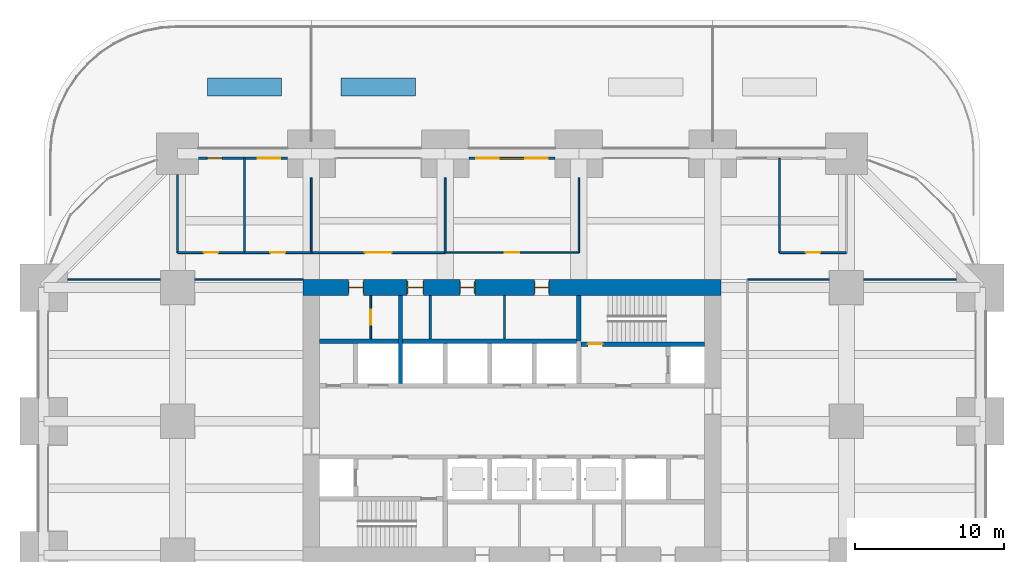
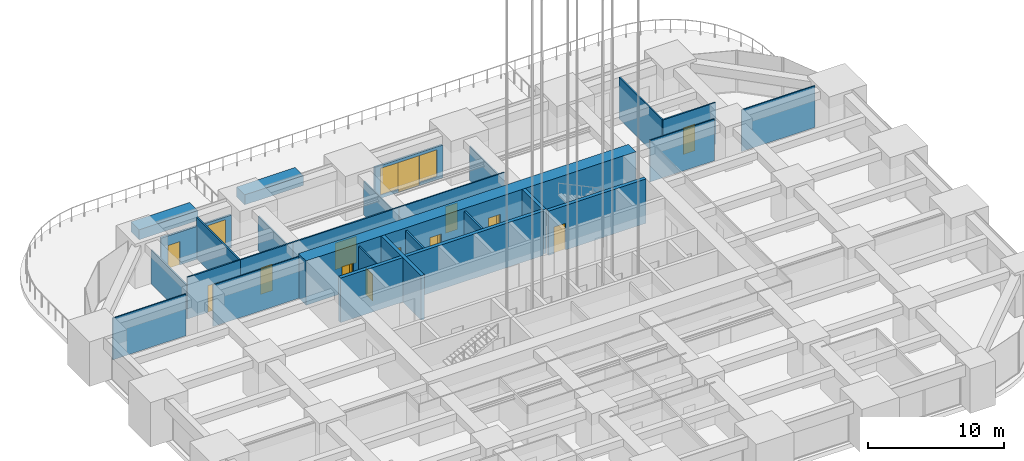
# One storey, part 38 of 50: 27 walls, 13 doors, 3 windows, 16 openings.
"""IFC4 building model written with IfcOpenShell, lengths in metres."""

import ifcopenshell
import ifcopenshell.guid

model = None  # the IFC model being written
_history = None  # IfcOwnerHistory: only IFC2X3 demands one
_inside = {}  # id of a spatial element -> (the spatial element, [elements in it])
_under = {}  # id of a project, library or spatial element -> (it, [spatial elements below it])
_declared = {}  # id of a project -> (the project, [libraries it declares])
_typed = {}  # id of a type object -> (the type object, [elements of that type])
_made_of = {}  # id of a material, layer set ... -> (it, [elements and type objects made of it])


def new_model(schema):
    """Start an empty IFC model of exactly this schema.

    Asked for "IFC4X3", IfcOpenShell would pick the latest addendum, in which some entities
    have other attributes; the version numbers below select the first issue.
    IFC2X3 requires an IfcOwnerHistory on every rooted entity: one is made here for all.
    """
    global model, _history
    if schema == "IFC4X3":
        model = ifcopenshell.file(schema_version=(4, 3, 0, 0))
    else:
        model = ifcopenshell.file(schema=schema)
    _inside.clear()
    _under.clear()
    _declared.clear()
    _typed.clear()
    _made_of.clear()
    _history = None
    if model.schema == "IFC2X3":
        org = make("IfcOrganization", Name="unknown")
        user = make(
            "IfcPersonAndOrganization",
            ThePerson=make("IfcPerson", FamilyName="unknown"),
            TheOrganization=org,
        )
        app = make(
            "IfcApplication",
            ApplicationDeveloper=org,
            Version="unknown",
            ApplicationFullName="unknown",
            ApplicationIdentifier="unknown",
        )
        _history = make(
            "IfcOwnerHistory",
            OwningUser=user,
            OwningApplication=app,
            ChangeAction="ADDED",
            CreationDate=0,
        )
    return model


def make(cls, **values):
    """One entity of the class cls with the attributes given. An attribute that is None is left unset."""
    return model.create_entity(
        cls, **{name: value for name, value in values.items() if value is not None}
    )


def rooted(cls, **values):
    """An entity with a GlobalId (a new one), such as an element, a storey or a relation."""
    return make(cls, GlobalId=ifcopenshell.guid.new(), OwnerHistory=_history, **values)


def si_unit(unit_type, name, prefix=None):
    """IfcSIUnit, for example si_unit("LENGTHUNIT", "METRE", prefix="MILLI")."""
    return make("IfcSIUnit", UnitType=unit_type, Prefix=prefix, Name=name)


def assignment(units):
    """IfcUnitAssignment: the units of a project."""
    return None if units is None else make("IfcUnitAssignment", Units=units)


def point(xyz):
    """IfcCartesianPoint."""
    return None if xyz is None else make("IfcCartesianPoint", Coordinates=xyz)


def direction(xyz):
    """IfcDirection."""
    return None if xyz is None else make("IfcDirection", DirectionRatios=xyz)


def frame(location, z_axis=None, x_axis=None):
    """IfcAxis2Placement3D, a coordinate frame: its origin and axes. An axis left out is left unset."""
    return make(
        "IfcAxis2Placement3D",
        Location=point(location),
        Axis=direction(z_axis),
        RefDirection=direction(x_axis),
    )


def frame_2d(location, x_axis=None):
    """IfcAxis2Placement2D, a coordinate frame in the plane: its origin and x axis."""
    return make(
        "IfcAxis2Placement2D", Location=point(location), RefDirection=direction(x_axis)
    )


def origin():
    """The frame at (0, 0, 0) with its axes left unset."""
    return frame((0.0, 0.0, 0.0))


def place(relative_to, where):
    """IfcLocalPlacement: puts the frame where relative to a parent placement (None: the world)."""
    return make(
        "IfcLocalPlacement", PlacementRelTo=relative_to, RelativePlacement=where
    )


def context(
    kind, dimensions, precision=None, world=None, true_north=None, identifier=None
):
    """IfcGeometricRepresentationContext, for example the 3D "Model" context."""
    return make(
        "IfcGeometricRepresentationContext",
        ContextIdentifier=identifier,
        ContextType=kind,
        CoordinateSpaceDimension=dimensions,
        Precision=precision,
        WorldCoordinateSystem=world,
        TrueNorth=true_north,
    )


def subcontext(parent, identifier, kind, view, scale=None):
    """IfcGeometricRepresentationSubContext, for example "Body" below "Model"."""
    return make(
        "IfcGeometricRepresentationSubContext",
        ContextIdentifier=identifier,
        ContextType=kind,
        ParentContext=parent,
        TargetScale=scale,
        TargetView=view,
    )


def project(units=None, contexts=None):
    """IfcProject with its units and contexts."""
    return rooted(
        "IfcProject",
        Name="project",
        RepresentationContexts=contexts,
        UnitsInContext=assignment(units),
    )


def spatial(cls, under=None, at=None, **own):
    """A site, building, storey or space (cls), placed at a placement, below another one or the project."""
    s = rooted(cls, ObjectPlacement=at, **own)
    if under is not None:
        _under.setdefault(under.id(), (under, []))[1].append(s)
    return s


def profile(cls, at=None, kind="AREA", **sizes):
    """A parametric profile (cls). Its sizes go by their IFC names, for example OverallWidth=200.0."""
    return make(cls, ProfileType=kind, Position=at, **sizes)


def rectangle(**sizes):
    """IfcRectangleProfileDef."""
    return profile("IfcRectangleProfileDef", **sizes)


def extrude(swept, where, along, depth):
    """IfcExtrudedAreaSolid: the profile swept, set in the frame where, extruded along a direction by depth."""
    return make(
        "IfcExtrudedAreaSolid",
        SweptArea=swept,
        Position=where,
        ExtrudedDirection=direction(along),
        Depth=depth,
    )


def shape(context_of_items, identifier, shape_type, items):
    """IfcShapeRepresentation: the items that make up one representation, for example the "Body"."""
    return make(
        "IfcShapeRepresentation",
        ContextOfItems=context_of_items,
        RepresentationIdentifier=identifier,
        RepresentationType=shape_type,
        Items=items,
    )


def material(Name=None, Category=None):
    """IfcMaterial."""
    return make("IfcMaterial", Name=Name, Category=Category)


def layer(
    of_material, thickness, ventilated=None, Name=None, Category=None, Priority=None
):
    """IfcMaterialLayer: one layer of a wall or slab, of a material (None: an air gap)."""
    return make(
        "IfcMaterialLayer",
        Material=of_material,
        LayerThickness=thickness,
        IsVentilated=ventilated,
        Name=Name,
        Category=Category,
        Priority=Priority,
    )


def layer_set(layers, Name=None):
    """IfcMaterialLayerSet."""
    return make("IfcMaterialLayerSet", MaterialLayers=layers, LayerSetName=Name)


def made_of(thing, what):
    """Note that an element or type object is made of a material, layer set ...; save() writes the relation."""
    if what is not None:
        _made_of.setdefault(what.id(), (what, []))[1].append(thing)
    return thing


def type_object(cls, material=None, **own):
    """A type object (cls), such as IfcWallType, which elements share."""
    return made_of(rooted(cls, **own), material)


def element(
    cls,
    number,
    at=None,
    inside=None,
    cuts=None,
    type_object=None,
    material=None,
    context=None,
    identifier="Body",
    shape_type=None,
    held_by="IfcProductDefinitionShape",
    body=None,
    shapes=None,
    **own,
):
    """One element of the class cls, such as IfcWall. Its Tag is "e" and its number.

    at: its placement. inside: the storey or other place that contains it. cuts: it is an
    opening in that element (IfcRelVoidsElement). A single representation is given by context,
    identifier, shape_type and body (its items); several are given by shapes. held_by: the class
    of the entity that holds the representations. save() writes the other relations.
    """
    e = rooted(cls, Tag="e%d" % number, ObjectPlacement=at, **own)
    if body is not None:
        shapes = [shape(context, identifier, shape_type, body)]
    if shapes is not None:
        e.Representation = make(held_by, Representations=shapes)
    if inside is not None:
        _inside.setdefault(inside.id(), (inside, []))[1].append(e)
    if cuts is not None:
        rooted(
            "IfcRelVoidsElement", RelatingBuildingElement=cuts, RelatedOpeningElement=e
        )
    if type_object is not None:
        _typed.setdefault(type_object.id(), (type_object, []))[1].append(e)
    return made_of(e, material)


def fill(opening, filler):
    """IfcRelFillsElement: the door or window that sits in an opening."""
    return rooted(
        "IfcRelFillsElement",
        RelatingOpeningElement=opening,
        RelatedBuildingElement=filler,
    )


def aggregate(whole, parts):
    """IfcRelAggregates: a whole, such as a stair, and the parts it consists of."""
    return rooted("IfcRelAggregates", RelatingObject=whole, RelatedObjects=parts)


def save(model, path):
    """Write the relations noted so far, then the file.

    IfcRelAggregates (storeys below a building ...), IfcRelContainedInSpatialStructure (elements
    in a storey), IfcRelDefinesByType, IfcRelAssociatesMaterial and IfcRelDeclares: one each for
    every whole, place, type object, material and project.
    """
    for whole, parts in _under.values():
        aggregate(whole, parts)
    for where, things in _inside.values():
        rooted(
            "IfcRelContainedInSpatialStructure",
            RelatedElements=things,
            RelatingStructure=where,
        )
    for kind, things in _typed.values():
        rooted("IfcRelDefinesByType", RelatedObjects=things, RelatingType=kind)
    for what, things in _made_of.values():
        rooted("IfcRelAssociatesMaterial", RelatedObjects=things, RelatingMaterial=what)
    for by, libraries in _declared.values():
        rooted("IfcRelDeclares", RelatingContext=by, RelatedDefinitions=libraries)
    model.write(path)


model = new_model("IFC4")

# Units and contexts
model_context = context("Model", 3, precision=1e-05, world=origin(), true_north=direction((0.0, 1.0)))
body_context = subcontext(model_context, "Body", "Model", "MODEL_VIEW")
ifc_project = project(units=[si_unit("LENGTHUNIT", "METRE"), si_unit("AREAUNIT", "SQUARE_METRE"), si_unit("VOLUMEUNIT", "CUBIC_METRE"), si_unit("PLANEANGLEUNIT", "RADIAN"), si_unit("MASSUNIT", "GRAM", prefix="KILO")], contexts=[model_context])

# Site, building, storey
site_placement = place(None, origin())
site = spatial("IfcSite", under=ifc_project, at=site_placement, CompositionType="ELEMENT")
building_placement = place(site_placement, origin())
building = spatial("IfcBuilding", under=site, at=building_placement, Name="Zorevar Civic Tower", CompositionType="ELEMENT")
storey_placement = place(building_placement, frame((0.0, 0.0, 85.0)))
storey = spatial("IfcBuildingStorey", under=building, at=storey_placement, Name="L20", CompositionType="ELEMENT", Elevation=85.0)

# Wall, openings, doors
ifc_material_1 = material(Name="Concrete C50/60", Category="concrete")
ifc_layer_1 = layer(ifc_material_1, 1.10009765625)
ifc_layer_set_1 = layer_set([ifc_layer_1], Name="Core wall 1100")
wall_type_1 = type_object("IfcWallType", Name="Core wall 1100", PredefinedType="SHEAR", material=ifc_layer_set_1)
wall_1_placement = place(storey_placement, frame((45.550048828125, 36.0, 0.0), z_axis=(0.0, 0.0, 1.0), x_axis=(-1.0, 0.0, 0.0)))
wall_1 = element("IfcWall", 1, at=wall_1_placement, inside=storey, type_object=wall_type_1, Name="Core wall N L20", PredefinedType="SHEAR", context=body_context, shape_type="SweptSolid", body=[
    extrude(rectangle(XDim=28.10009765625, YDim=1.10009765625, at=frame_2d((14.050048828125, 0.0))), origin(), (0.0, 0.0, 1.0), 4.0),
])
opening_1_placement = place(wall_1_placement, frame((11.550048828125, 0.0, 0.0)))
opening_1 = element("IfcOpeningElement", 2, at=opening_1_placement, cuts=wall_1, Name="Opening L20.07", PredefinedType="OPENING", context=body_context, shape_type="SweptSolid", body=[
    extrude(rectangle(XDim=1.0, YDim=2.39990234375, at=frame_2d((0.5, 1.199951171875))), frame((0.0, 0.56005859375, 0.0), z_axis=(0.0, -1.0, 0.0), x_axis=(1.0, 0.0, 0.0)), (0.0, 0.0, 1.0), 1.1201171875),
])
opening_2_placement = place(wall_1_placement, frame((16.550048828125, 0.0, 0.0)))
opening_2 = element("IfcOpeningElement", 3, at=opening_2_placement, cuts=wall_1, Name="Opening L20.08", PredefinedType="OPENING", context=body_context, shape_type="SweptSolid", body=[
    extrude(rectangle(XDim=1.0, YDim=2.39990234375, at=frame_2d((0.5, 1.199951171875))), frame((0.0, 0.56005859375, 0.0), z_axis=(0.0, -1.0, 0.0), x_axis=(1.0, 0.0, 0.0)), (0.0, 0.0, 1.0), 1.1201171875),
])
opening_3_placement = place(wall_1_placement, frame((20.0, 0.0, 0.0)))
opening_3 = element("IfcOpeningElement", 4, at=opening_3_placement, cuts=wall_1, Name="Opening L20.09", PredefinedType="OPENING", context=body_context, shape_type="SweptSolid", body=[
    extrude(rectangle(XDim=1.10009765625, YDim=2.39990234375, at=frame_2d((0.550048828125, 1.199951171875))), frame((0.0, 0.56005859375, 0.0), z_axis=(0.0, -1.0, 0.0), x_axis=(1.0, 0.0, 0.0)), (0.0, 0.0, 1.0), 1.1201171875),
])
opening_4_placement = place(wall_1_placement, frame((24.050048828125, 0.0, 0.0)))
opening_4 = element("IfcOpeningElement", 5, at=opening_4_placement, cuts=wall_1, Name="Opening L20.10", PredefinedType="OPENING", context=body_context, shape_type="SweptSolid", body=[
    extrude(rectangle(XDim=1.0, YDim=2.39990234375, at=frame_2d((0.5, 1.199951171875))), frame((0.0, 0.56005859375, 0.0), z_axis=(0.0, -1.0, 0.0), x_axis=(1.0, 0.0, 0.0)), (0.0, 0.0, 1.0), 1.1201171875),
])
ifc_material_2 = material(Name="Timber door set", Category="wood")
door_type_1 = type_object("IfcDoorType", Name="Door D1 1000x2400", OperationType="SINGLE_SWING_LEFT", PredefinedType="DOOR", material=ifc_material_2)
door_1_placement = place(opening_1_placement, origin())
door_1 = element("IfcDoor", 6, at=door_1_placement, inside=storey, type_object=door_type_1, Name="Door L20 06", OperationType="SINGLE_SWING_LEFT", OverallHeight=2.39990234375, OverallWidth=1.0, PredefinedType="DOOR", context=body_context, shape_type="SweptSolid", body=[
    extrude(rectangle(XDim=1.0, YDim=2.39990234375, at=frame_2d((0.5, 1.199951171875))), frame((0.0, 0.02490234375, 0.0), z_axis=(0.0, -1.0, 0.0), x_axis=(1.0, 0.0, 0.0)), (0.0, 0.0, 1.0), 0.050048828125),
    extrude(rectangle(XDim=0.04, YDim=2.39990234375, at=frame_2d((0.02001953125, 1.199951171875))), frame((0.0, 0.39990234375, 0.0), z_axis=(0.0, -1.0, 0.0), x_axis=(1.0, 0.0, 0.0)), (0.0, 0.0, 1.0), 0.800048828125),
    extrude(rectangle(XDim=0.04, YDim=2.39990234375, at=frame_2d((0.97998046875, 1.199951171875))), frame((0.0, 0.39990234375, 0.0), z_axis=(0.0, -1.0, 0.0), x_axis=(1.0, 0.0, 0.0)), (0.0, 0.0, 1.0), 0.800048828125),
    extrude(rectangle(XDim=1.0, YDim=0.04, at=frame_2d((0.5, 2.3798828125))), frame((0.0, 0.39990234375, 0.0), z_axis=(0.0, -1.0, 0.0), x_axis=(1.0, 0.0, 0.0)), (0.0, 0.0, 1.0), 0.800048828125),
])
fill(opening_1, door_1)
door_2_placement = place(opening_2_placement, origin())
door_2 = element("IfcDoor", 7, at=door_2_placement, inside=storey, type_object=door_type_1, Name="Door L20 07", OperationType="SINGLE_SWING_RIGHT", OverallHeight=2.39990234375, OverallWidth=1.0, PredefinedType="DOOR", context=body_context, shape_type="SweptSolid", body=[
    extrude(rectangle(XDim=1.0, YDim=2.39990234375, at=frame_2d((0.5, 1.199951171875))), frame((0.0, 0.02490234375, 0.0), z_axis=(0.0, -1.0, 0.0), x_axis=(1.0, 0.0, 0.0)), (0.0, 0.0, 1.0), 0.050048828125),
    extrude(rectangle(XDim=0.04, YDim=2.39990234375, at=frame_2d((0.02001953125, 1.199951171875))), frame((0.0, 0.39990234375, 0.0), z_axis=(0.0, -1.0, 0.0), x_axis=(1.0, 0.0, 0.0)), (0.0, 0.0, 1.0), 0.800048828125),
    extrude(rectangle(XDim=0.04, YDim=2.39990234375, at=frame_2d((0.97998046875, 1.199951171875))), frame((0.0, 0.39990234375, 0.0), z_axis=(0.0, -1.0, 0.0), x_axis=(1.0, 0.0, 0.0)), (0.0, 0.0, 1.0), 0.800048828125),
    extrude(rectangle(XDim=1.0, YDim=0.04, at=frame_2d((0.5, 2.3798828125))), frame((0.0, 0.39990234375, 0.0), z_axis=(0.0, -1.0, 0.0), x_axis=(1.0, 0.0, 0.0)), (0.0, 0.0, 1.0), 0.800048828125),
])
fill(opening_2, door_2)
door_3_placement = place(opening_4_placement, origin())
door_3 = element("IfcDoor", 8, at=door_3_placement, inside=storey, type_object=door_type_1, Name="Door L20 09", OperationType="SINGLE_SWING_RIGHT", OverallHeight=2.39990234375, OverallWidth=1.0, PredefinedType="DOOR", context=body_context, shape_type="SweptSolid", body=[
    extrude(rectangle(XDim=1.0, YDim=2.39990234375, at=frame_2d((0.5, 1.199951171875))), frame((0.0, 0.02490234375, 0.0), z_axis=(0.0, -1.0, 0.0), x_axis=(1.0, 0.0, 0.0)), (0.0, 0.0, 1.0), 0.050048828125),
    extrude(rectangle(XDim=0.04, YDim=2.39990234375, at=frame_2d((0.02001953125, 1.199951171875))), frame((0.0, 0.39990234375, 0.0), z_axis=(0.0, -1.0, 0.0), x_axis=(1.0, 0.0, 0.0)), (0.0, 0.0, 1.0), 0.800048828125),
    extrude(rectangle(XDim=0.04, YDim=2.39990234375, at=frame_2d((0.97998046875, 1.199951171875))), frame((0.0, 0.39990234375, 0.0), z_axis=(0.0, -1.0, 0.0), x_axis=(1.0, 0.0, 0.0)), (0.0, 0.0, 1.0), 0.800048828125),
    extrude(rectangle(XDim=1.0, YDim=0.04, at=frame_2d((0.5, 2.3798828125))), frame((0.0, 0.39990234375, 0.0), z_axis=(0.0, -1.0, 0.0), x_axis=(1.0, 0.0, 0.0)), (0.0, 0.0, 1.0), 0.800048828125),
])
fill(opening_4, door_3)
ifc_material_3 = material(Name="Timber door set", Category="wood")
door_type_2 = type_object("IfcDoorType", Name="Door D5 1100x2400", OperationType="SINGLE_SWING_LEFT", PredefinedType="DOOR", material=ifc_material_3)
door_4_placement = place(opening_3_placement, origin())
door_4 = element("IfcDoor", 9, at=door_4_placement, inside=storey, type_object=door_type_2, Name="Door L20 08", OperationType="SINGLE_SWING_RIGHT", OverallHeight=2.39990234375, OverallWidth=1.10009765625, PredefinedType="DOOR", context=body_context, shape_type="SweptSolid", body=[
    extrude(rectangle(XDim=1.10009765625, YDim=2.39990234375, at=frame_2d((0.550048828125, 1.199951171875))), frame((0.0, 0.02490234375, 0.0), z_axis=(0.0, -1.0, 0.0), x_axis=(1.0, 0.0, 0.0)), (0.0, 0.0, 1.0), 0.050048828125),
    extrude(rectangle(XDim=0.04, YDim=2.39990234375, at=frame_2d((0.02001953125, 1.199951171875))), frame((0.0, 0.43994140625, 0.0), z_axis=(0.0, -1.0, 0.0), x_axis=(1.0, 0.0, 0.0)), (0.0, 0.0, 1.0), 0.880126953125),
    extrude(rectangle(XDim=0.04, YDim=2.39990234375, at=frame_2d((1.080078125, 1.199951171875))), frame((0.0, 0.43994140625, 0.0), z_axis=(0.0, -1.0, 0.0), x_axis=(1.0, 0.0, 0.0)), (0.0, 0.0, 1.0), 0.880126953125),
    extrude(rectangle(XDim=1.10009765625, YDim=0.04, at=frame_2d((0.550048828125, 2.3798828125))), frame((0.0, 0.43994140625, 0.0), z_axis=(0.0, -1.0, 0.0), x_axis=(1.0, 0.0, 0.0)), (0.0, 0.0, 1.0), 0.880126953125),
])
fill(opening_3, door_4)

# Walls
ifc_material_4 = material(Name="Laminated glass in black aluminium frame", Category="aluminium")
ifc_layer_2 = layer(ifc_material_4, 0.10009765625)
ifc_layer_set_2 = layer_set([ifc_layer_2], Name="Glazed partition 100")
wall_type_2 = type_object("IfcWallType", Name="Glazed partition 100", PredefinedType="PARTITIONING", material=ifc_layer_set_2)
wall_2_placement = place(storey_placement, frame((1.60009765625, 36.550048828125, 0.0), z_axis=(0.0, 0.0, 1.0), x_axis=(1.0, 0.0, 0.0)))
element("IfcWall", 10, at=wall_2_placement, inside=storey, type_object=wall_type_2, Name="Glazed partition 100 L20", PredefinedType="PARTITIONING", context=body_context, shape_type="SweptSolid", body=[
    extrude(rectangle(XDim=6.25, YDim=0.10009765625, at=frame_2d((3.125, 0.0))), origin(), (0.0, 0.0, 1.0), 3.75),
])
wall_3_placement = place(storey_placement, frame((10.14990234375, 36.550048828125, 0.0), z_axis=(0.0, 0.0, 1.0), x_axis=(1.0, 0.0, 0.0)))
element("IfcWall", 11, at=wall_3_placement, inside=storey, type_object=wall_type_2, Name="Glazed partition 100 L20", PredefinedType="PARTITIONING", context=body_context, shape_type="SweptSolid", body=[
    extrude(rectangle(XDim=7.300048828125, YDim=0.10009765625, at=frame_2d((3.64990234375, 0.0))), origin(), (0.0, 0.0, 1.0), 3.75),
])
wall_4_placement = place(storey_placement, frame((47.35009765625, 36.550048828125, 0.0), z_axis=(0.0, 0.0, 1.0), x_axis=(1.0, 0.0, 0.0)))
element("IfcWall", 12, at=wall_4_placement, inside=storey, type_object=wall_type_2, Name="Glazed partition 100 L20", PredefinedType="PARTITIONING", context=body_context, shape_type="SweptSolid", body=[
    extrude(rectangle(XDim=5.5, YDim=0.10009765625, at=frame_2d((2.75, 0.0))), origin(), (0.0, 0.0, 1.0), 3.75),
])
wall_5_placement = place(storey_placement, frame((55.14990234375, 36.550048828125, 0.0), z_axis=(0.0, 0.0, 1.0), x_axis=(1.0, 0.0, 0.0)))
element("IfcWall", 13, at=wall_5_placement, inside=storey, type_object=wall_type_2, Name="Glazed partition 100 L20", PredefinedType="PARTITIONING", context=body_context, shape_type="SweptSolid", body=[
    extrude(rectangle(XDim=6.25, YDim=0.10009765625, at=frame_2d((3.125, 0.0))), origin(), (0.0, 0.0, 1.0), 3.75),
])

# Wall, opening, door
wall_6_placement = place(storey_placement, frame((27.0, 38.35009765625, 0.0), z_axis=(0.0, 0.0, 1.0), x_axis=(1.0, 0.0, 0.0)))
wall_6 = element("IfcWall", 14, at=wall_6_placement, inside=storey, type_object=wall_type_2, Name="Glazed partition 100 L20", PredefinedType="PARTITIONING", context=body_context, shape_type="SweptSolid", body=[
    extrude(rectangle(XDim=9.0, YDim=0.10009765625, at=frame_2d((4.5, 0.0))), origin(), (0.0, 0.0, 1.0), 3.75),
])
opening_5_placement = place(wall_6_placement, frame((4.0, 0.0, 0.0)))
opening_5 = element("IfcOpeningElement", 15, at=opening_5_placement, cuts=wall_6, Name="Opening L20.30", PredefinedType="OPENING", context=body_context, shape_type="SweptSolid", body=[
    extrude(rectangle(XDim=1.0, YDim=2.39990234375, at=frame_2d((0.5, 1.199951171875))), frame((0.0, 0.06005859375, 0.0), z_axis=(0.0, -1.0, 0.0), x_axis=(1.0, 0.0, 0.0)), (0.0, 0.0, 1.0), 0.1201171875),
])
ifc_material_5 = material(Name="Timber door set", Category="wood")
door_type_3 = type_object("IfcDoorType", Name="Glazed door GD1 1000x2400", OperationType="SINGLE_SWING_LEFT", PredefinedType="DOOR", material=ifc_material_5)
door_5_placement = place(opening_5_placement, origin())
door_5 = element("IfcDoor", 16, at=door_5_placement, inside=storey, type_object=door_type_3, Name="Door L20 D1", OperationType="SINGLE_SWING_RIGHT", OverallHeight=2.39990234375, OverallWidth=1.0, PredefinedType="DOOR", context=body_context, shape_type="SweptSolid", body=[
    extrude(rectangle(XDim=1.0, YDim=2.39990234375, at=frame_2d((0.5, 1.199951171875))), frame((0.0, 0.02001953125, 0.0), z_axis=(0.0, -1.0, 0.0), x_axis=(1.0, 0.0, 0.0)), (0.0, 0.0, 1.0), 0.0400390625),
])
fill(opening_5, door_5)

# Wall
wall_7_placement = place(storey_placement, frame((36.0, 38.35009765625, 0.0), z_axis=(0.0, 0.0, 1.0), x_axis=(0.0, 1.0, 0.0)))
element("IfcWall", 17, at=wall_7_placement, inside=storey, type_object=wall_type_2, Name="Glazed partition 100 L20", PredefinedType="PARTITIONING", context=body_context, shape_type="SweptSolid", body=[
    extrude(rectangle(XDim=5.0498046875, YDim=0.10009765625, at=frame_2d((2.52490234375, 0.0))), origin(), (0.0, 0.0, 1.0), 3.050048828125),
])

# Wall, opening, door
ifc_material_6 = material(Name="Concrete C40/50", Category="concrete")
ifc_layer_3 = layer(ifc_material_6, 0.300048828125)
ifc_layer_set_3 = layer_set([ifc_layer_3], Name="Inner core wall 300")
wall_type_3 = type_object("IfcWallType", Name="Inner core wall 300", PredefinedType="SHEAR", material=ifc_layer_set_3)
wall_8_placement = place(storey_placement, frame((36.14990234375, 32.199951171875, 0.0), z_axis=(0.0, 0.0, 1.0), x_axis=(1.0, 0.0, 0.0)))
wall_8 = element("IfcWall", 18, at=wall_8_placement, inside=storey, type_object=wall_type_3, Name="Inner core wall N00 L20", PredefinedType="SHEAR", context=body_context, shape_type="SweptSolid", body=[
    extrude(rectangle(XDim=8.300048828125, YDim=0.300048828125, at=frame_2d((4.14990234375, 0.0))), origin(), (0.0, 0.0, 1.0), 4.0),
])
opening_6_placement = place(wall_8_placement, frame((0.449951171875, 0.0, 0.0)))
opening_6 = element("IfcOpeningElement", 19, at=opening_6_placement, cuts=wall_8, Name="Opening L20.12", PredefinedType="OPENING", context=body_context, shape_type="SweptSolid", body=[
    extrude(rectangle(XDim=1.0, YDim=2.39990234375, at=frame_2d((0.5, 1.199951171875))), frame((0.0, 0.159912109375, 0.0), z_axis=(0.0, -1.0, 0.0), x_axis=(1.0, 0.0, 0.0)), (0.0, 0.0, 1.0), 0.320068359375),
])
ifc_material_7 = material(Name="Steel door set", Category="steel")
door_type_4 = type_object("IfcDoorType", Name="Fire door FD1 1000x2400", OperationType="SINGLE_SWING_LEFT", PredefinedType="DOOR", material=ifc_material_7)
door_6_placement = place(opening_6_placement, origin())
door_6 = element("IfcDoor", 20, at=door_6_placement, inside=storey, type_object=door_type_4, Name="Door L20 11", OperationType="SINGLE_SWING_RIGHT", OverallHeight=2.39990234375, OverallWidth=1.0, PredefinedType="DOOR", context=body_context, shape_type="SweptSolid", body=[
    extrude(rectangle(XDim=1.0, YDim=2.39990234375, at=frame_2d((0.5, 1.199951171875))), frame((0.0, 0.030029296875, 0.0), z_axis=(0.0, -1.0, 0.0), x_axis=(1.0, 0.0, 0.0)), (0.0, 0.0, 1.0), 0.06005859375),
])
fill(opening_6, door_6)

# Walls
wall_9_placement = place(storey_placement, frame((36.0, 32.39990234375, 0.0), z_axis=(0.0, 0.0, 1.0), x_axis=(0.0, 1.0, 0.0)))
element("IfcWall", 21, at=wall_9_placement, inside=storey, type_object=wall_type_3, Name="Inner core wall N01 L20", PredefinedType="SHEAR", context=body_context, shape_type="SweptSolid", body=[
    extrude(rectangle(XDim=3.050048828125, YDim=0.300048828125, at=frame_2d((1.52490234375, 0.0))), origin(), (0.0, 0.0, 1.0), 4.0),
])
wall_10_placement = place(storey_placement, frame((18.550048828125, 32.39990234375, 0.0), z_axis=(0.0, 0.0, 1.0), x_axis=(1.0, 0.0, 0.0)))
element("IfcWall", 22, at=wall_10_placement, inside=storey, type_object=wall_type_3, Name="Inner core wall N04 L20", PredefinedType="SHEAR", context=body_context, shape_type="SweptSolid", body=[
    extrude(rectangle(XDim=17.300048828125, YDim=0.300048828125, at=frame_2d((8.64990234375, 0.0))), origin(), (0.0, 0.0, 1.0), 4.0),
])
wall_11_placement = place(storey_placement, frame((24.0, 29.550048828125, 0.0), z_axis=(0.0, 0.0, 1.0), x_axis=(0.0, 1.0, 0.0)))
element("IfcWall", 23, at=wall_11_placement, inside=storey, type_object=wall_type_3, Name="Inner core wall N08 L20", PredefinedType="SHEAR", context=body_context, shape_type="SweptSolid", body=[
    extrude(rectangle(XDim=5.89990234375, YDim=0.300048828125, at=frame_2d((2.949951171875, 0.0))), origin(), (0.0, 0.0, 1.0), 4.0),
])

# Wall, opening, door
ifc_material_8 = material(Name="Gypsum board on steel studs", Category="steel")
ifc_layer_4 = layer(ifc_material_8, 0.1201171875)
ifc_layer_set_4 = layer_set([ifc_layer_4], Name="Partition 120")
wall_type_4 = type_object("IfcWallType", Name="Partition 120", PredefinedType="PARTITIONING", material=ifc_layer_set_4)
wall_12_placement = place(storey_placement, frame((9.0, 38.35009765625, 0.0), z_axis=(0.0, 0.0, 1.0), x_axis=(1.0, 0.0, 0.0)))
wall_12 = element("IfcWall", 24, at=wall_12_placement, inside=storey, type_object=wall_type_4, Name="Partition 120 L20", PredefinedType="PARTITIONING", context=body_context, shape_type="SweptSolid", body=[
    extrude(rectangle(XDim=4.5, YDim=0.1201171875, at=frame_2d((2.25, 0.0))), origin(), (0.0, 0.0, 1.0), 3.75),
])
opening_7_placement = place(wall_12_placement, frame((1.75, 0.0, 0.0)))
opening_7 = element("IfcOpeningElement", 25, at=opening_7_placement, cuts=wall_12, Name="Opening L20.26", PredefinedType="OPENING", context=body_context, shape_type="SweptSolid", body=[
    extrude(rectangle(XDim=1.0, YDim=2.39990234375, at=frame_2d((0.5, 1.199951171875))), frame((0.0, 0.070068359375, 0.0), z_axis=(0.0, -1.0, 0.0), x_axis=(1.0, 0.0, 0.0)), (0.0, 0.0, 1.0), 0.14013671875),
])
door_7_placement = place(opening_7_placement, origin())
door_7 = element("IfcDoor", 26, at=door_7_placement, inside=storey, type_object=door_type_1, Name="Door L20 D1", OperationType="SINGLE_SWING_LEFT", OverallHeight=2.39990234375, OverallWidth=1.0, PredefinedType="DOOR", context=body_context, shape_type="SweptSolid", body=[
    extrude(rectangle(XDim=1.0, YDim=2.39990234375, at=frame_2d((0.5, 1.199951171875))), frame((0.0, 0.02490234375, 0.0), z_axis=(0.0, -1.0, 0.0), x_axis=(1.0, 0.0, 0.0)), (0.0, 0.0, 1.0), 0.050048828125),
])
fill(opening_7, door_7)

wall_13_placement = place(storey_placement, frame((13.5, 38.35009765625, 0.0), z_axis=(0.0, 0.0, 1.0), x_axis=(1.0, 0.0, 0.0)))
wall_13 = element("IfcWall", 27, at=wall_13_placement, inside=storey, type_object=wall_type_4, Name="Partition 120 L20", PredefinedType="PARTITIONING", context=body_context, shape_type="SweptSolid", body=[
    extrude(rectangle(XDim=4.5, YDim=0.1201171875, at=frame_2d((2.25, 0.0))), origin(), (0.0, 0.0, 1.0), 3.75),
])
opening_8_placement = place(wall_13_placement, frame((1.75, 0.0, 0.0)))
opening_8 = element("IfcOpeningElement", 28, at=opening_8_placement, cuts=wall_13, Name="Opening L20.27", PredefinedType="OPENING", context=body_context, shape_type="SweptSolid", body=[
    extrude(rectangle(XDim=1.0, YDim=2.39990234375, at=frame_2d((0.5, 1.199951171875))), frame((0.0, 0.070068359375, 0.0), z_axis=(0.0, -1.0, 0.0), x_axis=(1.0, 0.0, 0.0)), (0.0, 0.0, 1.0), 0.14013671875),
])
door_8_placement = place(opening_8_placement, origin())
door_8 = element("IfcDoor", 29, at=door_8_placement, inside=storey, type_object=door_type_1, Name="Door L20 D1", OperationType="SINGLE_SWING_LEFT", OverallHeight=2.39990234375, OverallWidth=1.0, PredefinedType="DOOR", context=body_context, shape_type="SweptSolid", body=[
    extrude(rectangle(XDim=1.0, YDim=2.39990234375, at=frame_2d((0.5, 1.199951171875))), frame((0.0, 0.02490234375, 0.0), z_axis=(0.0, -1.0, 0.0), x_axis=(1.0, 0.0, 0.0)), (0.0, 0.0, 1.0), 0.050048828125),
])
fill(opening_8, door_8)

wall_14_placement = place(storey_placement, frame((18.0, 38.35009765625, 0.0), z_axis=(0.0, 0.0, 1.0), x_axis=(1.0, 0.0, 0.0)))
wall_14 = element("IfcWall", 30, at=wall_14_placement, inside=storey, type_object=wall_type_4, Name="Partition 120 L20", PredefinedType="PARTITIONING", context=body_context, shape_type="SweptSolid", body=[
    extrude(rectangle(XDim=9.0, YDim=0.1201171875, at=frame_2d((4.5, 0.0))), origin(), (0.0, 0.0, 1.0), 3.75),
])
opening_9_placement = place(wall_14_placement, frame((3.60009765625, 0.0, 0.0)))
opening_9 = element("IfcOpeningElement", 31, at=opening_9_placement, cuts=wall_14, Name="Opening L20.28", PredefinedType="OPENING", context=body_context, shape_type="SweptSolid", body=[
    extrude(rectangle(XDim=1.800048828125, YDim=2.39990234375, at=frame_2d((0.89990234375, 1.199951171875))), frame((0.0, 0.070068359375, 0.0), z_axis=(0.0, -1.0, 0.0), x_axis=(1.0, 0.0, 0.0)), (0.0, 0.0, 1.0), 0.14013671875),
])
ifc_material_9 = material(Name="Steel door set", Category="steel")
door_type_5 = type_object("IfcDoorType", Name="Door D2 1800x2400", OperationType="DOUBLE_DOOR_SINGLE_SWING", PredefinedType="DOOR", material=ifc_material_9)
door_9_placement = place(opening_9_placement, origin())
door_9 = element("IfcDoor", 32, at=door_9_placement, inside=storey, type_object=door_type_5, Name="Door L20 D1", OperationType="DOUBLE_DOOR_SINGLE_SWING", OverallHeight=2.39990234375, OverallWidth=1.800048828125, PredefinedType="DOOR", context=body_context, shape_type="SweptSolid", body=[
    extrude(rectangle(XDim=1.800048828125, YDim=2.39990234375, at=frame_2d((0.89990234375, 1.199951171875))), frame((0.0, 0.02490234375, 0.0), z_axis=(0.0, -1.0, 0.0), x_axis=(1.0, 0.0, 0.0)), (0.0, 0.0, 1.0), 0.050048828125),
])
fill(opening_9, door_9)

wall_15_placement = place(storey_placement, frame((49.5, 38.35009765625, 0.0), z_axis=(0.0, 0.0, 1.0), x_axis=(1.0, 0.0, 0.0)))
wall_15 = element("IfcWall", 33, at=wall_15_placement, inside=storey, type_object=wall_type_4, Name="Partition 120 L20", PredefinedType="PARTITIONING", context=body_context, shape_type="SweptSolid", body=[
    extrude(rectangle(XDim=4.5, YDim=0.1201171875, at=frame_2d((2.25, 0.0))), origin(), (0.0, 0.0, 1.0), 3.75),
])
opening_10_placement = place(wall_15_placement, frame((1.75, 0.0, 0.0)))
opening_10 = element("IfcOpeningElement", 34, at=opening_10_placement, cuts=wall_15, Name="Opening L20.29", PredefinedType="OPENING", context=body_context, shape_type="SweptSolid", body=[
    extrude(rectangle(XDim=1.0, YDim=2.39990234375, at=frame_2d((0.5, 1.199951171875))), frame((0.0, 0.070068359375, 0.0), z_axis=(0.0, -1.0, 0.0), x_axis=(1.0, 0.0, 0.0)), (0.0, 0.0, 1.0), 0.14013671875),
])
door_10_placement = place(opening_10_placement, origin())
door_10 = element("IfcDoor", 35, at=door_10_placement, inside=storey, type_object=door_type_1, Name="Door L20 D1", OperationType="SINGLE_SWING_RIGHT", OverallHeight=2.39990234375, OverallWidth=1.0, PredefinedType="DOOR", context=body_context, shape_type="SweptSolid", body=[
    extrude(rectangle(XDim=1.0, YDim=2.39990234375, at=frame_2d((0.5, 1.199951171875))), frame((0.0, 0.02490234375, 0.0), z_axis=(0.0, -1.0, 0.0), x_axis=(1.0, 0.0, 0.0)), (0.0, 0.0, 1.0), 0.050048828125),
])
fill(opening_10, door_10)

# Walls
wall_16_placement = place(storey_placement, frame((9.0, 38.35009765625, 0.0), z_axis=(0.0, 0.0, 1.0), x_axis=(0.0, 1.0, 0.0)))
element("IfcWall", 36, at=wall_16_placement, inside=storey, type_object=wall_type_4, Name="Partition 120 L20", PredefinedType="PARTITIONING", context=body_context, shape_type="SweptSolid", body=[
    extrude(rectangle(XDim=5.25, YDim=0.1201171875, at=frame_2d((2.625, 0.0))), origin(), (0.0, 0.0, 1.0), 3.050048828125),
])
wall_17_placement = place(storey_placement, frame((13.5, 38.35009765625, 0.0), z_axis=(0.0, 0.0, 1.0), x_axis=(0.0, 1.0, 0.0)))
element("IfcWall", 37, at=wall_17_placement, inside=storey, type_object=wall_type_4, Name="Partition 120 L20", PredefinedType="PARTITIONING", context=body_context, shape_type="SweptSolid", body=[
    extrude(rectangle(XDim=6.33984375, YDim=0.1201171875, at=frame_2d((3.169921875, 0.0))), origin(), (0.0, 0.0, 1.0), 3.75),
])
for number, where, z_axis, x_axis, name in (
    (38, (18.0, 38.35009765625, 0.0), (0.0, 0.0, 1.0), (0.0, 1.0, 0.0), "Partition 120 L20"),
    (39, (27.0, 38.35009765625, 0.0), (0.0, 0.0, 1.0), (0.0, 1.0, 0.0), "Partition 120 L20"),
):
    element("IfcWall", number, at=place(storey_placement, frame(where, z_axis=z_axis, x_axis=x_axis)), inside=storey, type_object=wall_type_4, Name=name, PredefinedType="PARTITIONING", context=body_context, shape_type="SweptSolid", body=[
        extrude(rectangle(XDim=5.0498046875, YDim=0.1201171875, at=frame_2d((2.52490234375, 0.0))), origin(), (0.0, 0.0, 1.0), 3.050048828125),
    ])
wall_18_placement = place(storey_placement, frame((49.5, 38.35009765625, 0.0), z_axis=(0.0, 0.0, 1.0), x_axis=(0.0, 1.0, 0.0)))
element("IfcWall", 40, at=wall_18_placement, inside=storey, type_object=wall_type_4, Name="Partition 120 L20", PredefinedType="PARTITIONING", context=body_context, shape_type="SweptSolid", body=[
    extrude(rectangle(XDim=6.33984375, YDim=0.1201171875, at=frame_2d((3.169921875, 0.0))), origin(), (0.0, 0.0, 1.0), 3.75),
])

# Wall, opening, door
wall_19_placement = place(storey_placement, frame((22.0, 32.550048828125, 0.0), z_axis=(0.0, 0.0, 1.0), x_axis=(0.0, 1.0, 0.0)))
wall_19 = element("IfcWall", 41, at=wall_19_placement, inside=storey, type_object=wall_type_4, Name="Partition L20", PredefinedType="PARTITIONING", context=body_context, shape_type="SweptSolid", body=[
    extrude(rectangle(XDim=2.89990234375, YDim=0.1201171875, at=frame_2d((1.449951171875, 0.0))), origin(), (0.0, 0.0, 1.0), 3.75),
])
opening_11_placement = place(wall_19_placement, frame((0.949951171875, 0.0, 0.0)))
opening_11 = element("IfcOpeningElement", 42, at=opening_11_placement, cuts=wall_19, Name="Opening L20.32", PredefinedType="OPENING", context=body_context, shape_type="SweptSolid", body=[
    extrude(rectangle(XDim=1.0, YDim=2.39990234375, at=frame_2d((0.5, 1.199951171875))), frame((0.0, 0.070068359375, 0.0), z_axis=(0.0, -1.0, 0.0), x_axis=(1.0, 0.0, 0.0)), (0.0, 0.0, 1.0), 0.14013671875),
])
door_11_placement = place(opening_11_placement, origin())
door_11 = element("IfcDoor", 43, at=door_11_placement, inside=storey, type_object=door_type_4, Name="Door L20 EN", OperationType="SINGLE_SWING_RIGHT", OverallHeight=2.39990234375, OverallWidth=1.0, PredefinedType="DOOR", context=body_context, shape_type="SweptSolid", body=[
    extrude(rectangle(XDim=1.0, YDim=2.39990234375, at=frame_2d((0.5, 1.199951171875))), frame((0.0, 0.030029296875, 0.0), z_axis=(0.0, -1.0, 0.0), x_axis=(1.0, 0.0, 0.0)), (0.0, 0.0, 1.0), 0.06005859375),
])
fill(opening_11, door_11)

# Walls
ifc_material_10 = material(Name="Precast concrete planter", Category="concrete")
ifc_layer_5 = layer(ifc_material_10, 1.199951171875)
ifc_layer_set_5 = layer_set([ifc_layer_5], Name="Planter PL1 1200")
wall_type_5 = type_object("IfcWallType", Name="Planter PL1 1200", PredefinedType="USERDEFINED", material=ifc_layer_set_5)
for number, where, z_axis, x_axis, name in (
    (44, (11.0, 49.5, 0.0), (0.0, 0.0, 1.0), (1.0, 0.0, 0.0), "Planter L20"),
    (45, (20.0, 49.5, 0.0), (0.0, 0.0, 1.0), (1.0, 0.0, 0.0), "Planter L20"),
):
    element("IfcWall", number, at=place(storey_placement, frame(where, z_axis=z_axis, x_axis=x_axis)), inside=storey, type_object=wall_type_5, Name=name, ObjectType="PLANTER", PredefinedType="USERDEFINED", context=body_context, shape_type="SweptSolid", body=[
        extrude(rectangle(XDim=5.0, YDim=1.199951171875, at=frame_2d((2.5, 0.0))), origin(), (0.0, 0.0, 1.0), 0.89990234375),
    ])

# Wall, openings, door, window
ifc_material_11 = material(Name="Black metal-faced insulated panel", Category="aluminium")
ifc_layer_6 = layer(ifc_material_11, 0.179931640625)
ifc_layer_set_6 = layer_set([ifc_layer_6], Name="Screen wall 180")
wall_type_6 = type_object("IfcWallType", Name="Screen wall 180", PredefinedType="SOLIDWALL", material=ifc_layer_set_6)
wall_20_placement = place(storey_placement, frame((10.39990234375, 44.699951171875, 0.0), z_axis=(0.0, 0.0, 1.0), x_axis=(1.0, 0.0, 0.0)))
wall_20 = element("IfcWall", 46, at=wall_20_placement, inside=storey, type_object=wall_type_6, Name="Screen wall L20 N9", PredefinedType="SOLIDWALL", context=body_context, shape_type="SweptSolid", body=[
    extrude(rectangle(XDim=6.0, YDim=0.179931640625, at=frame_2d((3.0, 0.0))), origin(), (0.0, 0.0, 1.0), 2.949951171875),
])
opening_12_placement = place(wall_20_placement, frame((0.60009765625, 0.0, 0.0)))
opening_12 = element("IfcOpeningElement", 47, at=opening_12_placement, cuts=wall_20, Name="Opening MD1", PredefinedType="OPENING", context=body_context, shape_type="SweptSolid", body=[
    extrude(rectangle(XDim=1.0, YDim=2.10009765625, at=frame_2d((0.5, 1.050048828125))), frame((0.0, 0.099853515625, 0.0), z_axis=(0.0, -1.0, 0.0), x_axis=(1.0, 0.0, 0.0)), (0.0, 0.0, 1.0), 0.199951171875),
])
opening_13_placement = place(wall_20_placement, frame((4.0, 0.0, 0.300048828125)))
opening_13 = element("IfcOpeningElement", 48, at=opening_13_placement, cuts=wall_20, Name="Opening WS1", PredefinedType="OPENING", context=body_context, shape_type="SweptSolid", body=[
    extrude(rectangle(XDim=1.5, YDim=2.39990234375, at=frame_2d((0.75, 1.199951171875))), frame((0.0, 0.099853515625, 0.0), z_axis=(0.0, -1.0, 0.0), x_axis=(1.0, 0.0, 0.0)), (0.0, 0.0, 1.0), 0.199951171875),
])
ifc_material_12 = material(Name="Insulated black steel", Category="steel")
door_type_6 = type_object("IfcDoorType", Name="Maintenance door MD1 1000x2100", OperationType="SINGLE_SWING_LEFT", PredefinedType="DOOR", material=ifc_material_12)
door_12_placement = place(opening_12_placement, origin())
door_12 = element("IfcDoor", 49, at=door_12_placement, inside=storey, type_object=door_type_6, Name="Maintenance door L20 N9", OperationType="SINGLE_SWING_LEFT", OverallHeight=2.10009765625, OverallWidth=1.0, PredefinedType="DOOR", context=body_context, shape_type="SweptSolid", body=[
    extrude(rectangle(XDim=1.0, YDim=2.10009765625, at=frame_2d((0.5, 1.050048828125))), frame((0.0, 0.03515625, 0.0), z_axis=(0.0, -1.0, 0.0), x_axis=(1.0, 0.0, 0.0)), (0.0, 0.0, 1.0), 0.070068359375),
])
fill(opening_12, door_12)
ifc_material_13 = material(Name="Black aluminium and dark glass", Category="aluminium")
window_type = type_object("IfcWindowType", Name="Window WS1 1500x2400", PartitioningType="SINGLE_PANEL", PredefinedType="WINDOW", material=ifc_material_13)
window_1_placement = place(opening_13_placement, origin())
window_1 = element("IfcWindow", 50, at=window_1_placement, inside=storey, type_object=window_type, Name="Screen window L20 N9", OverallHeight=2.39990234375, OverallWidth=1.5, PartitioningType="SINGLE_PANEL", PredefinedType="WINDOW", context=body_context, shape_type="SweptSolid", body=[
    extrude(rectangle(XDim=1.5, YDim=2.39990234375, at=frame_2d((0.75, 1.199951171875))), frame((0.0, 0.030029296875, 0.0), z_axis=(0.0, -1.0, 0.0), x_axis=(1.0, 0.0, 0.0)), (0.0, 0.0, 1.0), 0.06005859375),
])
fill(opening_13, window_1)

# Wall, openings, door, windows
wall_21_placement = place(storey_placement, frame((28.60009765625, 44.699951171875, 0.0), z_axis=(0.0, 0.0, 1.0), x_axis=(1.0, 0.0, 0.0)))
wall_21 = element("IfcWall", 51, at=wall_21_placement, inside=storey, type_object=wall_type_6, Name="Screen wall L20 N27", PredefinedType="SOLIDWALL", context=body_context, shape_type="SweptSolid", body=[
    extrude(rectangle(XDim=5.7998046875, YDim=0.179931640625, at=frame_2d((2.89990234375, 0.0))), origin(), (0.0, 0.0, 1.0), 2.949951171875),
])
opening_14_placement = place(wall_21_placement, frame((2.0, 0.0, 0.0)))
opening_14 = element("IfcOpeningElement", 52, at=opening_14_placement, cuts=wall_21, Name="Opening TD1", PredefinedType="OPENING", context=body_context, shape_type="SweptSolid", body=[
    extrude(rectangle(XDim=1.800048828125, YDim=2.699951171875, at=frame_2d((0.89990234375, 1.35009765625))), frame((0.0, 0.099853515625, 0.0), z_axis=(0.0, -1.0, 0.0), x_axis=(1.0, 0.0, 0.0)), (0.0, 0.0, 1.0), 0.199951171875),
])
opening_15_placement = place(wall_21_placement, frame((0.5, 0.0, 0.300048828125)))
opening_15 = element("IfcOpeningElement", 53, at=opening_15_placement, cuts=wall_21, Name="Opening WS1", PredefinedType="OPENING", context=body_context, shape_type="SweptSolid", body=[
    extrude(rectangle(XDim=1.5, YDim=2.39990234375, at=frame_2d((0.75, 1.199951171875))), frame((0.0, 0.099853515625, 0.0), z_axis=(0.0, -1.0, 0.0), x_axis=(1.0, 0.0, 0.0)), (0.0, 0.0, 1.0), 0.199951171875),
])
opening_16_placement = place(wall_21_placement, frame((3.800048828125, 0.0, 0.300048828125)))
opening_16 = element("IfcOpeningElement", 54, at=opening_16_placement, cuts=wall_21, Name="Opening WS1", PredefinedType="OPENING", context=body_context, shape_type="SweptSolid", body=[
    extrude(rectangle(XDim=1.5, YDim=2.39990234375, at=frame_2d((0.75, 1.199951171875))), frame((0.0, 0.099853515625, 0.0), z_axis=(0.0, -1.0, 0.0), x_axis=(1.0, 0.0, 0.0)), (0.0, 0.0, 1.0), 0.199951171875),
])
ifc_material_14 = material(Name="Black aluminium and dark glass", Category="aluminium")
door_type_7 = type_object("IfcDoorType", Name="Terrace door TD1 1800x2700", OperationType="DOUBLE_DOOR_SINGLE_SWING", PredefinedType="DOOR", material=ifc_material_14)
door_13_placement = place(opening_14_placement, origin())
door_13 = element("IfcDoor", 55, at=door_13_placement, inside=storey, type_object=door_type_7, Name="Terrace door L20 N27", OperationType="DOUBLE_DOOR_SINGLE_SWING", OverallHeight=2.699951171875, OverallWidth=1.800048828125, PredefinedType="DOOR", context=body_context, shape_type="SweptSolid", body=[
    extrude(rectangle(XDim=1.800048828125, YDim=2.699951171875, at=frame_2d((0.89990234375, 1.35009765625))), frame((0.0, 0.03515625, 0.0), z_axis=(0.0, -1.0, 0.0), x_axis=(1.0, 0.0, 0.0)), (0.0, 0.0, 1.0), 0.070068359375),
])
fill(opening_14, door_13)
window_2_placement = place(opening_15_placement, origin())
window_2 = element("IfcWindow", 56, at=window_2_placement, inside=storey, type_object=window_type, Name="Screen window L20 N27", OverallHeight=2.39990234375, OverallWidth=1.5, PartitioningType="SINGLE_PANEL", PredefinedType="WINDOW", context=body_context, shape_type="SweptSolid", body=[
    extrude(rectangle(XDim=1.5, YDim=2.39990234375, at=frame_2d((0.75, 1.199951171875))), frame((0.0, 0.030029296875, 0.0), z_axis=(0.0, -1.0, 0.0), x_axis=(1.0, 0.0, 0.0)), (0.0, 0.0, 1.0), 0.06005859375),
])
fill(opening_15, window_2)
window_3_placement = place(opening_16_placement, origin())
window_3 = element("IfcWindow", 57, at=window_3_placement, inside=storey, type_object=window_type, Name="Screen window L20 N27", OverallHeight=2.39990234375, OverallWidth=1.5, PartitioningType="SINGLE_PANEL", PredefinedType="WINDOW", context=body_context, shape_type="SweptSolid", body=[
    extrude(rectangle(XDim=1.5, YDim=2.39990234375, at=frame_2d((0.75, 1.199951171875))), frame((0.0, 0.030029296875, 0.0), z_axis=(0.0, -1.0, 0.0), x_axis=(1.0, 0.0, 0.0)), (0.0, 0.0, 1.0), 0.06005859375),
])
fill(opening_16, window_3)

# Walls
ifc_material_15 = material(Name="Gypsum board on steel studs, moisture resistant", Category="steel")
ifc_layer_7 = layer(ifc_material_15, 0.14990234375)
ifc_layer_set_7 = layer_set([ifc_layer_7], Name="WC partition 150")
wall_type_7 = type_object("IfcWallType", Name="WC partition 150", PredefinedType="PARTITIONING", material=ifc_layer_set_7)
for number, where, z_axis, x_axis, name in (
    (58, (31.0, 32.550048828125, 0.0), (0.0, 0.0, 1.0), (0.0, 1.0, 0.0), "WC partition L20"),
    (59, (26.0, 32.550048828125, 0.0), (0.0, 0.0, 1.0), (0.0, 1.0, 0.0), "WC partition L20"),
):
    element("IfcWall", number, at=place(storey_placement, frame(where, z_axis=z_axis, x_axis=x_axis)), inside=storey, type_object=wall_type_7, Name=name, PredefinedType="PARTITIONING", context=body_context, shape_type="SweptSolid", body=[
        extrude(rectangle(XDim=2.89990234375, YDim=0.14990234375, at=frame_2d((1.449951171875, 0.0))), origin(), (0.0, 0.0, 1.0), 3.75),
    ])

save(model, "model.ifc")
